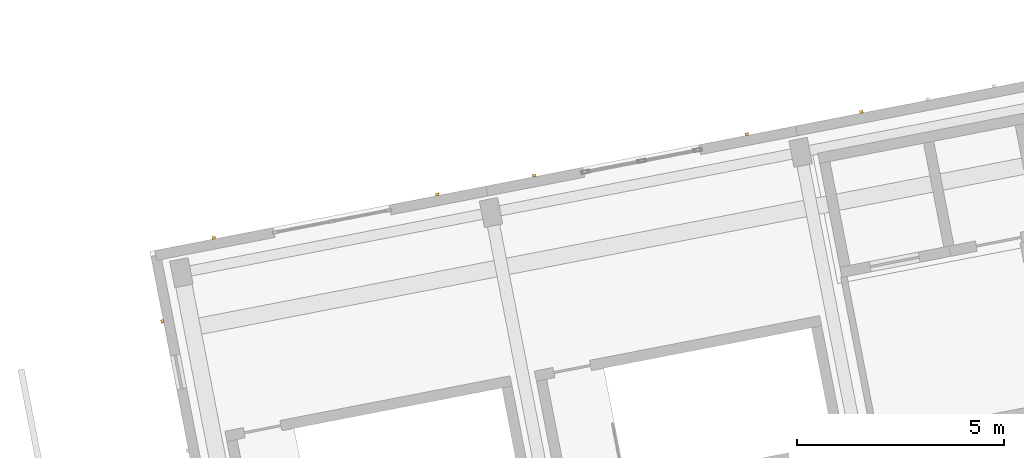
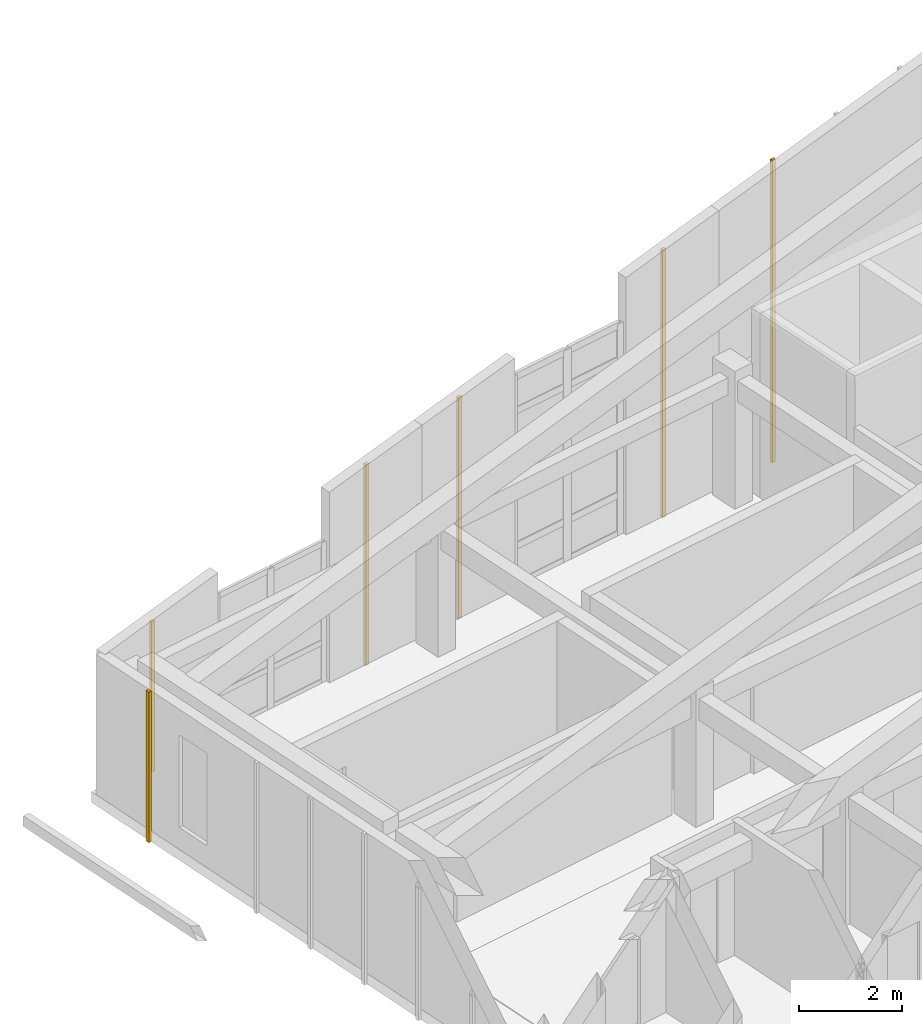
# One storey, part 51 of 56: 6 coverings.
"""IFC4 building model written with IfcOpenShell, lengths in metres."""

import ifcopenshell
import ifcopenshell.guid

model = None  # the IFC model being written
_history = None  # IfcOwnerHistory: only IFC2X3 demands one
_inside = {}  # id of a spatial element -> (the spatial element, [elements in it])
_under = {}  # id of a project, library or spatial element -> (it, [spatial elements below it])
_declared = {}  # id of a project -> (the project, [libraries it declares])
_typed = {}  # id of a type object -> (the type object, [elements of that type])
_made_of = {}  # id of a material, layer set ... -> (it, [elements and type objects made of it])


def new_model(schema):
    """Start an empty IFC model of exactly this schema.

    Asked for "IFC4X3", IfcOpenShell would pick the latest addendum, in which some entities
    have other attributes; the version numbers below select the first issue.
    IFC2X3 requires an IfcOwnerHistory on every rooted entity: one is made here for all.
    """
    global model, _history
    if schema == "IFC4X3":
        model = ifcopenshell.file(schema_version=(4, 3, 0, 0))
    else:
        model = ifcopenshell.file(schema=schema)
    _inside.clear()
    _under.clear()
    _declared.clear()
    _typed.clear()
    _made_of.clear()
    _history = None
    if model.schema == "IFC2X3":
        org = make("IfcOrganization", Name="unknown")
        user = make(
            "IfcPersonAndOrganization",
            ThePerson=make("IfcPerson", FamilyName="unknown"),
            TheOrganization=org,
        )
        app = make(
            "IfcApplication",
            ApplicationDeveloper=org,
            Version="unknown",
            ApplicationFullName="unknown",
            ApplicationIdentifier="unknown",
        )
        _history = make(
            "IfcOwnerHistory",
            OwningUser=user,
            OwningApplication=app,
            ChangeAction="ADDED",
            CreationDate=0,
        )
    return model


def make(cls, **values):
    """One entity of the class cls with the attributes given. An attribute that is None is left unset."""
    return model.create_entity(
        cls, **{name: value for name, value in values.items() if value is not None}
    )


def rooted(cls, **values):
    """An entity with a GlobalId (a new one), such as an element, a storey or a relation."""
    return make(cls, GlobalId=ifcopenshell.guid.new(), OwnerHistory=_history, **values)


def si_unit(unit_type, name, prefix=None):
    """IfcSIUnit, for example si_unit("LENGTHUNIT", "METRE", prefix="MILLI")."""
    return make("IfcSIUnit", UnitType=unit_type, Prefix=prefix, Name=name)


def assignment(units):
    """IfcUnitAssignment: the units of a project."""
    return None if units is None else make("IfcUnitAssignment", Units=units)


def point(xyz):
    """IfcCartesianPoint."""
    return None if xyz is None else make("IfcCartesianPoint", Coordinates=xyz)


def direction(xyz):
    """IfcDirection."""
    return None if xyz is None else make("IfcDirection", DirectionRatios=xyz)


def frame(location, z_axis=None, x_axis=None):
    """IfcAxis2Placement3D, a coordinate frame: its origin and axes. An axis left out is left unset."""
    return make(
        "IfcAxis2Placement3D",
        Location=point(location),
        Axis=direction(z_axis),
        RefDirection=direction(x_axis),
    )


def frame_2d(location, x_axis=None):
    """IfcAxis2Placement2D, a coordinate frame in the plane: its origin and x axis."""
    return make(
        "IfcAxis2Placement2D", Location=point(location), RefDirection=direction(x_axis)
    )


def origin():
    """The frame at (0, 0, 0) with its axes left unset."""
    return frame((0.0, 0.0, 0.0))


def origin_2d():
    """The frame at (0, 0) in the plane with its x axis left unset."""
    return frame_2d((0.0, 0.0))


def place(relative_to, where):
    """IfcLocalPlacement: puts the frame where relative to a parent placement (None: the world)."""
    return make(
        "IfcLocalPlacement", PlacementRelTo=relative_to, RelativePlacement=where
    )


def context(
    kind, dimensions, precision=None, world=None, true_north=None, identifier=None
):
    """IfcGeometricRepresentationContext, for example the 3D "Model" context."""
    return make(
        "IfcGeometricRepresentationContext",
        ContextIdentifier=identifier,
        ContextType=kind,
        CoordinateSpaceDimension=dimensions,
        Precision=precision,
        WorldCoordinateSystem=world,
        TrueNorth=true_north,
    )


def subcontext(parent, identifier, kind, view, scale=None):
    """IfcGeometricRepresentationSubContext, for example "Body" below "Model"."""
    return make(
        "IfcGeometricRepresentationSubContext",
        ContextIdentifier=identifier,
        ContextType=kind,
        ParentContext=parent,
        TargetScale=scale,
        TargetView=view,
    )


def project(units=None, contexts=None):
    """IfcProject with its units and contexts."""
    return rooted(
        "IfcProject",
        Name="project",
        RepresentationContexts=contexts,
        UnitsInContext=assignment(units),
    )


def spatial(cls, under=None, at=None, **own):
    """A site, building, storey or space (cls), placed at a placement, below another one or the project."""
    s = rooted(cls, ObjectPlacement=at, **own)
    if under is not None:
        _under.setdefault(under.id(), (under, []))[1].append(s)
    return s


def profile(cls, at=None, kind="AREA", **sizes):
    """A parametric profile (cls). Its sizes go by their IFC names, for example OverallWidth=200.0."""
    return make(cls, ProfileType=kind, Position=at, **sizes)


def rectangle(**sizes):
    """IfcRectangleProfileDef."""
    return profile("IfcRectangleProfileDef", **sizes)


def extrude(swept, where, along, depth):
    """IfcExtrudedAreaSolid: the profile swept, set in the frame where, extruded along a direction by depth."""
    return make(
        "IfcExtrudedAreaSolid",
        SweptArea=swept,
        Position=where,
        ExtrudedDirection=direction(along),
        Depth=depth,
    )


def shape(context_of_items, identifier, shape_type, items):
    """IfcShapeRepresentation: the items that make up one representation, for example the "Body"."""
    return make(
        "IfcShapeRepresentation",
        ContextOfItems=context_of_items,
        RepresentationIdentifier=identifier,
        RepresentationType=shape_type,
        Items=items,
    )


def material(Name=None, Category=None):
    """IfcMaterial."""
    return make("IfcMaterial", Name=Name, Category=Category)


def layer(
    of_material, thickness, ventilated=None, Name=None, Category=None, Priority=None
):
    """IfcMaterialLayer: one layer of a wall or slab, of a material (None: an air gap)."""
    return make(
        "IfcMaterialLayer",
        Material=of_material,
        LayerThickness=thickness,
        IsVentilated=ventilated,
        Name=Name,
        Category=Category,
        Priority=Priority,
    )


def layer_set(layers, Name=None):
    """IfcMaterialLayerSet."""
    return make("IfcMaterialLayerSet", MaterialLayers=layers, LayerSetName=Name)


def made_of(thing, what):
    """Note that an element or type object is made of a material, layer set ...; save() writes the relation."""
    if what is not None:
        _made_of.setdefault(what.id(), (what, []))[1].append(thing)
    return thing


def type_object(cls, material=None, **own):
    """A type object (cls), such as IfcWallType, which elements share."""
    return made_of(rooted(cls, **own), material)


def element(
    cls,
    number,
    at=None,
    inside=None,
    cuts=None,
    type_object=None,
    material=None,
    context=None,
    identifier="Body",
    shape_type=None,
    held_by="IfcProductDefinitionShape",
    body=None,
    shapes=None,
    **own,
):
    """One element of the class cls, such as IfcWall. Its Tag is "e" and its number.

    at: its placement. inside: the storey or other place that contains it. cuts: it is an
    opening in that element (IfcRelVoidsElement). A single representation is given by context,
    identifier, shape_type and body (its items); several are given by shapes. held_by: the class
    of the entity that holds the representations. save() writes the other relations.
    """
    e = rooted(cls, Tag="e%d" % number, ObjectPlacement=at, **own)
    if body is not None:
        shapes = [shape(context, identifier, shape_type, body)]
    if shapes is not None:
        e.Representation = make(held_by, Representations=shapes)
    if inside is not None:
        _inside.setdefault(inside.id(), (inside, []))[1].append(e)
    if cuts is not None:
        rooted(
            "IfcRelVoidsElement", RelatingBuildingElement=cuts, RelatedOpeningElement=e
        )
    if type_object is not None:
        _typed.setdefault(type_object.id(), (type_object, []))[1].append(e)
    return made_of(e, material)


def aggregate(whole, parts):
    """IfcRelAggregates: a whole, such as a stair, and the parts it consists of."""
    return rooted("IfcRelAggregates", RelatingObject=whole, RelatedObjects=parts)


def save(model, path):
    """Write the relations noted so far, then the file.

    IfcRelAggregates (storeys below a building ...), IfcRelContainedInSpatialStructure (elements
    in a storey), IfcRelDefinesByType, IfcRelAssociatesMaterial and IfcRelDeclares: one each for
    every whole, place, type object, material and project.
    """
    for whole, parts in _under.values():
        aggregate(whole, parts)
    for where, things in _inside.values():
        rooted(
            "IfcRelContainedInSpatialStructure",
            RelatedElements=things,
            RelatingStructure=where,
        )
    for kind, things in _typed.values():
        rooted("IfcRelDefinesByType", RelatedObjects=things, RelatingType=kind)
    for what, things in _made_of.values():
        rooted("IfcRelAssociatesMaterial", RelatedObjects=things, RelatingMaterial=what)
    for by, libraries in _declared.values():
        rooted("IfcRelDeclares", RelatingContext=by, RelatedDefinitions=libraries)
    model.write(path)


model = new_model("IFC4")

# Units and contexts
model_context = context("Model", 3, precision=1e-05, world=origin(), true_north=direction((0.0, 1.0)))
body_context = subcontext(model_context, "Body", "Model", "MODEL_VIEW")
ifc_project = project(units=[si_unit("LENGTHUNIT", "METRE"), si_unit("AREAUNIT", "SQUARE_METRE"), si_unit("VOLUMEUNIT", "CUBIC_METRE"), si_unit("PLANEANGLEUNIT", "RADIAN"), si_unit("MASSUNIT", "GRAM", prefix="KILO")], contexts=[model_context])

# Site, building, storey
site_placement = place(None, origin())
site = spatial("IfcSite", under=ifc_project, at=site_placement, CompositionType="ELEMENT")
building_placement = place(site_placement, origin())
building = spatial("IfcBuilding", under=site, at=building_placement, Name="Kestramere Prow Commons", CompositionType="ELEMENT")
storey_placement = place(building_placement, frame((0.0, 0.0, 27.89990234375)))
storey = spatial("IfcBuildingStorey", under=building, at=storey_placement, Name="L08", CompositionType="ELEMENT", Elevation=27.89990234375)

# Coverings
ifc_material = material(Name="Weathered Zinc-Titanium Standing-Seam Cladding")
ifc_layer = layer(ifc_material, 0.074951171875)
ifc_layer_set = layer_set([ifc_layer], Name="Weathered Zinc-Titanium Standing-Seam Cladding")
covering_type = type_object("IfcCoveringType", Name="COV-CLAD-SEAM", PredefinedType="CLADDING", material=ifc_layer_set)
covering_1_placement = place(storey_placement, frame((137.820068359375, 58.431884765625, -0.25), z_axis=(0.0, 0.0, 1.0), x_axis=(0.981627183448, 0.190808995377, 0.0)))
element("IfcCovering", 1, at=covering_1_placement, inside=storey, type_object=covering_type, Name="EW-D-L08-NP-3-L Standing-Seam Rib 1", PredefinedType="CLADDING", context=body_context, shape_type="SweptSolid", body=[
    extrude(rectangle(XDim=0.0849609375, YDim=0.06494140625, at=origin_2d()), origin(), (0.0, 0.0, 1.0), 3.554931640625),
])
covering_2_placement = place(storey_placement, frame((143.20654296875, 59.47900390625, -0.25), z_axis=(0.0, 0.0, 1.0), x_axis=(0.981627183448, 0.190808995377, 0.0)))
element("IfcCovering", 2, at=covering_2_placement, inside=storey, type_object=covering_type, Name="EW-D-L08-NP-3-R Standing-Seam Rib 1", PredefinedType="CLADDING", context=body_context, shape_type="SweptSolid", body=[
    extrude(rectangle(XDim=0.0849609375, YDim=0.06494140625, at=origin_2d()), origin(), (0.0, 0.0, 1.0), 4.7451171875),
])
covering_3_placement = place(storey_placement, frame((145.5380859375, 59.93212890625, -0.25), z_axis=(0.0, 0.0, 1.0), x_axis=(0.981627183448, 0.190808995377, 0.0)))
element("IfcCovering", 3, at=covering_3_placement, inside=storey, type_object=covering_type, Name="EW-D-L08-NP-4-L Standing-Seam Rib 1", PredefinedType="CLADDING", context=body_context, shape_type="SweptSolid", body=[
    extrude(rectangle(XDim=0.0849609375, YDim=0.06494140625, at=origin_2d()), origin(), (0.0, 0.0, 1.0), 5.236572265625),
])
covering_4_placement = place(storey_placement, frame((150.6669921875, 60.92919921875, -0.25), z_axis=(0.0, 0.0, 1.0), x_axis=(0.981627183448, 0.190808995377, 0.0)))
element("IfcCovering", 4, at=covering_4_placement, inside=storey, type_object=covering_type, Name="EW-D-L08-NP-4-R Standing-Seam Rib 1", PredefinedType="CLADDING", context=body_context, shape_type="SweptSolid", body=[
    extrude(rectangle(XDim=0.0849609375, YDim=0.06494140625, at=origin_2d()), origin(), (0.0, 0.0, 1.0), 6.318115234375),
])
covering_5_placement = place(storey_placement, frame((153.427734375, 61.4658203125, -0.25), z_axis=(0.0, 0.0, 1.0), x_axis=(0.981627183448, 0.190808995377, 0.0)))
element("IfcCovering", 5, at=covering_5_placement, inside=storey, type_object=covering_type, Name="EW-D-L08-N-5 Standing-Seam Rib 1", PredefinedType="CLADDING", context=body_context, shape_type="SweptSolid", body=[
    extrude(rectangle(XDim=0.0849609375, YDim=0.06494140625, at=origin_2d()), origin(), (0.0, 0.0, 1.0), 7.145751953125),
])
covering_6_placement = place(storey_placement, frame((136.5791015625, 56.417236328125, -0.25), z_axis=(0.0, 0.0, 1.0), x_axis=(-0.190808995377, 0.981627183448, 0.0)))
element("IfcCovering", 6, at=covering_6_placement, inside=storey, type_object=covering_type, Name="EW-D-L08-EAV Standing-Seam Rib 12", PredefinedType="CLADDING", context=body_context, shape_type="SweptSolid", body=[
    extrude(rectangle(XDim=0.0849609375, YDim=0.06494140625, at=origin_2d()), origin(), (0.0, 0.0, 1.0), 3.554931640625),
])

save(model, "model.ifc")
